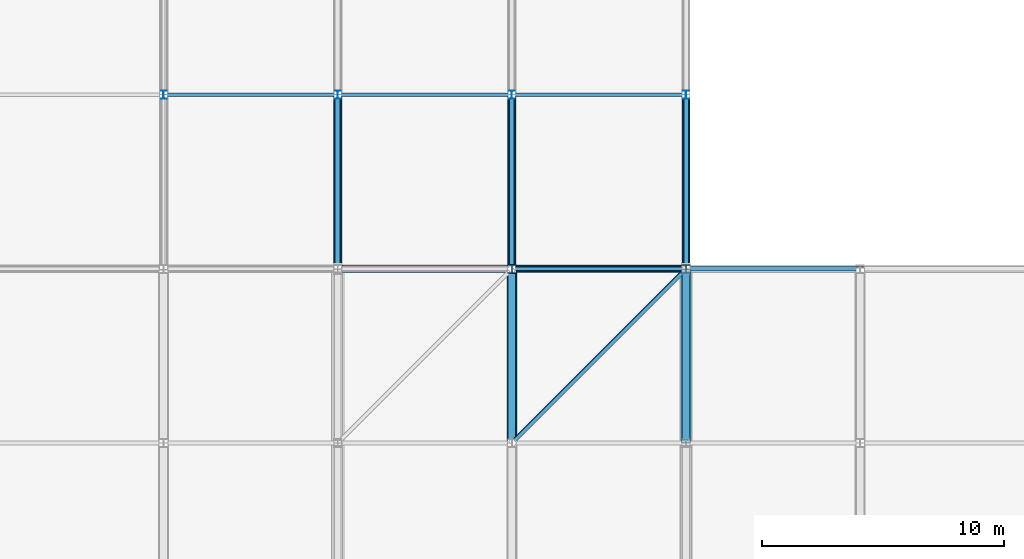
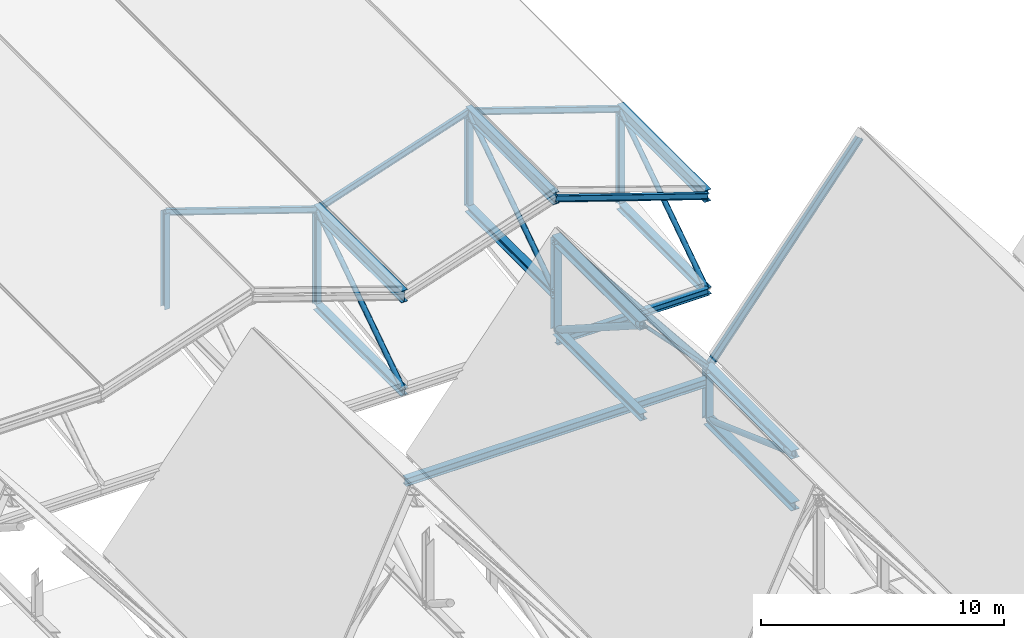
# One storey, part 26 of 60: 28 members, 2 beams.
"""IFC4 building model written with IfcOpenShell, lengths in metres."""

from ifc_helpers import new_model, si_unit, direction, frame, origin, origin_2d, place, context, subcontext, project, spatial, hollow_circle, i_section, extrude, material, material_profile, profile_set, type_object, element, save


model = new_model("IFC4")

# Units and contexts
model_context = context("Model", 3, precision=1e-05, world=origin(), true_north=direction((0.0, 1.0)))
body_context = subcontext(model_context, "Body", "Model", "MODEL_VIEW")
ifc_project = project(units=[si_unit("LENGTHUNIT", "METRE"), si_unit("AREAUNIT", "SQUARE_METRE"), si_unit("VOLUMEUNIT", "CUBIC_METRE"), si_unit("PLANEANGLEUNIT", "RADIAN"), si_unit("MASSUNIT", "GRAM", prefix="KILO")], contexts=[model_context])

# Site, building, storey
site_placement = place(None, origin())
site = spatial("IfcSite", under=ifc_project, at=site_placement, CompositionType="ELEMENT")
building_placement = place(site_placement, origin())
building = spatial("IfcBuilding", under=site, at=building_placement, Name="Vesperath Aquatics Centre", CompositionType="ELEMENT")
storey_placement = place(building_placement, frame((0.0, 0.0, 27.60009765625)))
storey = spatial("IfcBuildingStorey", under=building, at=storey_placement, Name="RF", CompositionType="ELEMENT", Elevation=27.60009765625)

# Beams
ifc_material_1 = material(Name="Steel Q355C", Category="steel")
ifc_material_profile_1 = material_profile(ifc_material_1, i_section(OverallWidth=0.300048828125, OverallDepth=0.389892578125, WebThickness=0.010009765625, FlangeThickness=0.01611328125, FilletRadius=0.02197265625, at=origin_2d()), Name="HM 390x300x10x16")
ifc_profile_set_1 = profile_set([ifc_material_profile_1], Name="Steel Q355C")
beam_type_1 = type_object("IfcBeamType", Name="BM-RB03", PredefinedType="BEAM", material=ifc_profile_set_1)
beam_1_placement = place(storey_placement, frame((43.199951171875, 86.39990234375, -10.478759765625), z_axis=(1.0, 0.0, 0.0), x_axis=(0.0, 1.0, 0.0)))
element("IfcBeam", 1, at=beam_1_placement, inside=storey, type_object=beam_type_1, Name="Natatorium Roof Deck Support Beam B11 G4-86.4", PredefinedType="BEAM", context=body_context, shape_type="SweptSolid", body=[
    extrude(i_section(OverallWidth=0.300048828125, OverallDepth=0.389892578125, WebThickness=0.010009765625, FlangeThickness=0.01611328125, FilletRadius=0.02197265625, at=origin_2d()), origin(), (0.0, 0.0, 1.0), 14.400146484375),
])
ifc_material_profile_2 = material_profile(ifc_material_1, i_section(OverallWidth=0.25, OverallDepth=0.340087890625, WebThickness=0.009033203125, FlangeThickness=0.013916015625, FilletRadius=0.02001953125, at=origin_2d()), Name="HM 340x250x9x14")
ifc_profile_set_2 = profile_set([ifc_material_profile_2], Name="Steel Q355C")
beam_type_2 = type_object("IfcBeamType", Name="BM-RB07", PredefinedType="BEAM", material=ifc_profile_set_2)
beam_2_placement = place(storey_placement, frame((50.39990234375, 86.39990234375, -5.9501953125), z_axis=(1.0, 0.0, 0.0), x_axis=(0.0, 1.0, 0.0)))
element("IfcBeam", 2, at=beam_2_placement, inside=storey, type_object=beam_type_2, Name="Diving Roof Support Beam B12 South 8", PredefinedType="BEAM", context=body_context, shape_type="SweptSolid", body=[
    extrude(i_section(OverallWidth=0.25, OverallDepth=0.340087890625, WebThickness=0.009033203125, FlangeThickness=0.013916015625, FilletRadius=0.02001953125, at=origin_2d()), origin(), (0.0, 0.0, 1.0), 7.2001953125),
])

# Members
ifc_material_2 = material(Name="Steel Q355D", Category="steel")
ifc_material_profile_3 = material_profile(ifc_material_2, i_section(OverallWidth=0.39990234375, OverallDepth=0.39990234375, WebThickness=0.012939453125, FlangeThickness=0.02099609375, FilletRadius=0.02197265625, at=origin_2d()), Name="HW 400x400x13x21")
ifc_profile_set_3 = profile_set([ifc_material_profile_3], Name="Steel Q355D")
member_type_1 = type_object("IfcMemberType", Name="MB-BC01", PredefinedType="CHORD", material=ifc_profile_set_3)
member_1_placement = place(storey_placement, frame((57.60009765625, 79.199951171875, -12.400146484375), z_axis=(0.0, 1.0, 0.0), x_axis=(-1.0, 0.0, 0.0)))
element("IfcMember", 3, at=member_1_placement, inside=storey, type_object=member_type_1, Name="Natatorium ROOF TRUSS Bottom Chord BC01 G9-12", PredefinedType="CHORD", context=body_context, shape_type="SweptSolid", body=[
    extrude(i_section(OverallWidth=0.39990234375, OverallDepth=0.39990234375, WebThickness=0.012939453125, FlangeThickness=0.02099609375, FilletRadius=0.02197265625, at=origin_2d()), origin(), (0.0, 0.0, 1.0), 7.199951171875),
])
ifc_material_profile_4 = material_profile(ifc_material_2, i_section(OverallWidth=0.35009765625, OverallDepth=0.35009765625, WebThickness=0.011962890625, FlangeThickness=0.01904296875, FilletRadius=0.02001953125, at=origin_2d()), Name="HW 350x350x12x19")
ifc_profile_set_4 = profile_set([ifc_material_profile_4], Name="Steel Q355D")
member_type_2 = type_object("IfcMemberType", Name="MB-BC02", PredefinedType="CHORD", material=ifc_profile_set_4)
member_2_placement = place(storey_placement, frame((50.39990234375, 79.199951171875, -5.400146484375), z_axis=(0.0, 1.0, 0.0), x_axis=(-1.0, 0.0, 0.0)))
element("IfcMember", 4, at=member_2_placement, inside=storey, type_object=member_type_2, Name="Natatorium ROOF TRUSS Bottom Chord BC02 G8-12", PredefinedType="CHORD", context=body_context, shape_type="SweptSolid", body=[
    extrude(i_section(OverallWidth=0.35009765625, OverallDepth=0.35009765625, WebThickness=0.011962890625, FlangeThickness=0.01904296875, FilletRadius=0.02001953125, at=origin_2d()), origin(), (0.0, 0.0, 1.0), 7.199951171875),
])
for number, where, z_axis, x_axis, name in (
    (5, (43.199951171875, 86.39990234375, -6.0), (0.0, 1.0, 0.0), (-1.0, 0.0, 0.0), "Diving ROOF TRUSS Bottom Chord BC02 G7-1"),
    (6, (50.39990234375, 86.39990234375, -3.60009765625), (0.0, 1.0, 0.0), (-1.0, 0.0, 0.0), "Diving ROOF TRUSS Bottom Chord BC02 G8-1"),
    (7, (57.60009765625, 86.39990234375, -6.0), (0.0, 1.0, 0.0), (-1.0, 0.0, 0.0), "Diving ROOF TRUSS Bottom Chord BC02 G9-1"),
):
    element("IfcMember", number, at=place(storey_placement, frame(where, z_axis=z_axis, x_axis=x_axis)), inside=storey, type_object=member_type_2, Name=name, PredefinedType="CHORD", context=body_context, shape_type="SweptSolid", body=[
        extrude(i_section(OverallWidth=0.35009765625, OverallDepth=0.35009765625, WebThickness=0.011962890625, FlangeThickness=0.01904296875, FilletRadius=0.02001953125, at=origin_2d()), origin(), (0.0, 0.0, 1.0), 7.2001953125),
    ])
ifc_material_profile_5 = material_profile(ifc_material_2, hollow_circle(Radius=0.084228515625, WallThickness=0.008056640625, at=origin_2d()), Name="CHS 168.3x8")
ifc_profile_set_5 = profile_set([ifc_material_profile_5], Name="Steel Q355D")
member_type_3 = type_object("IfcMemberType", Name="MB-BR01", PredefinedType="BRACE", material=ifc_profile_set_5)
member_3_placement = place(storey_placement, frame((50.4423828125, 79.242431640625, -0.85302734375), z_axis=(0.529812942826, 0.529812942826, -0.662266178533), x_axis=(-0.707106781187, 0.707106781187, 0.0)))
element("IfcMember", 8, at=member_3_placement, inside=storey, type_object=member_type_3, Name="Natatorium Roof Brace BR01 B8-79", PredefinedType="BRACE", context=body_context, shape_type="SweptSolid", body=[
    extrude(hollow_circle(Radius=0.084228515625, WallThickness=0.008056640625, at=origin_2d()), origin(), (0.0, 0.0, 1.0), 13.4296875),
])
ifc_material_profile_6 = material_profile(ifc_material_1, i_section(OverallWidth=0.175048828125, OverallDepth=0.35009765625, WebThickness=0.007080078125, FlangeThickness=0.010986328125, FilletRadius=0.012939453125, at=origin_2d()), Name="HN 350x175x7x11")
ifc_profile_set_6 = profile_set([ifc_material_profile_6], Name="Steel Q355C")
member_type_4 = type_object("IfcMemberType", Name="MB-PR01", PredefinedType="PURLIN", material=ifc_profile_set_6)
for number, where, z_axis, x_axis, name in (
    (9, (50.39990234375, 86.39990234375, -0.800048828125), (0.624705380279, 0.0, -0.780860543151), (0.0, 1.0, 0.0), "Natatorium Roof Purlin PR01 B8-11"),
    (10, (57.60009765625, 86.39990234375, -9.800048828125), (0.624692464322, 0.0, 0.780870876022), (0.0, 1.0, 0.0), "Natatorium Roof Purlin PR01 B9-11"),
):
    element("IfcMember", number, at=place(storey_placement, frame(where, z_axis=z_axis, x_axis=x_axis)), inside=storey, type_object=member_type_4, Name=name, PredefinedType="PURLIN", context=body_context, shape_type="SweptSolid", body=[
        extrude(i_section(OverallWidth=0.175048828125, OverallDepth=0.35009765625, WebThickness=0.007080078125, FlangeThickness=0.010986328125, FilletRadius=0.012939453125, at=origin_2d()), origin(), (0.0, 0.0, 1.0), 11.525634765625),
    ])
ifc_material_profile_7 = material_profile(ifc_material_1, i_section(OverallWidth=0.14990234375, OverallDepth=0.300048828125, WebThickness=0.006591796875, FlangeThickness=0.009033203125, FilletRadius=0.012939453125, at=origin_2d()), Name="HN 300x150x6.5x9")
ifc_profile_set_7 = profile_set([ifc_material_profile_7], Name="Steel Q355C")
member_type_5 = type_object("IfcMemberType", Name="MB-PR02", PredefinedType="PURLIN", material=ifc_profile_set_7)
for number, where, z_axis, x_axis, name in (
    (11, (36.0, 93.60009765625, 1.199951171875), (0.948676864184, 0.0, -0.316247066962), (0.0, 1.0, 0.0), "Diving Roof Purlin PR02 6-2"),
    (12, (43.199951171875, 93.60009765625, -1.2001953125), (0.948676864184, 0.0, 0.316247066962), (0.0, 1.0, 0.0), "Diving Roof Purlin PR02 7-2"),
):
    element("IfcMember", number, at=place(storey_placement, frame(where, z_axis=z_axis, x_axis=x_axis)), inside=storey, type_object=member_type_5, Name=name, PredefinedType="PURLIN", context=body_context, shape_type="SweptSolid", body=[
        extrude(i_section(OverallWidth=0.14990234375, OverallDepth=0.300048828125, WebThickness=0.006591796875, FlangeThickness=0.009033203125, FilletRadius=0.012939453125, at=origin_2d()), origin(), (0.0, 0.0, 1.0), 7.58935546875),
    ])
for number, where, z_axis, x_axis, name in (
    (13, (50.39990234375, 86.39990234375, 1.199951171875), (0.948680081264, 0.0, -0.316237416212), (0.0, 1.0, 0.0), "Diving Roof Purlin PR02 8-1"),
    (14, (50.39990234375, 93.60009765625, 1.199951171875), (0.948680081264, 0.0, -0.316237416212), (0.0, 1.0, 0.0), "Diving Roof Purlin PR02 8-2"),
):
    element("IfcMember", number, at=place(storey_placement, frame(where, z_axis=z_axis, x_axis=x_axis)), inside=storey, type_object=member_type_5, Name=name, PredefinedType="PURLIN", context=body_context, shape_type="SweptSolid", body=[
        extrude(i_section(OverallWidth=0.14990234375, OverallDepth=0.300048828125, WebThickness=0.006591796875, FlangeThickness=0.009033203125, FilletRadius=0.012939453125, at=origin_2d()), origin(), (0.0, 0.0, 1.0), 7.589599609375),
    ])
ifc_material_profile_8 = material_profile(ifc_material_2, i_section(OverallWidth=0.406982421875, OverallDepth=0.427978515625, WebThickness=0.02001953125, FlangeThickness=0.034912109375, FilletRadius=0.02197265625, at=origin_2d()), Name="HW 428x407x20x35")
ifc_profile_set_8 = profile_set([ifc_material_profile_8], Name="Steel Q355D")
member_type_6 = type_object("IfcMemberType", Name="MB-TC01", PredefinedType="CHORD", material=ifc_profile_set_8)
member_4_placement = place(storey_placement, frame((50.39990234375, 79.199951171875, -0.800048828125), z_axis=(0.0, 1.0, 0.0), x_axis=(-1.0, 0.0, 0.0)))
element("IfcMember", 15, at=member_4_placement, inside=storey, type_object=member_type_6, Name="Natatorium ROOF TRUSS Top Chord TC01 G8-12", PredefinedType="CHORD", context=body_context, shape_type="SweptSolid", body=[
    extrude(i_section(OverallWidth=0.406982421875, OverallDepth=0.427978515625, WebThickness=0.02001953125, FlangeThickness=0.034912109375, FilletRadius=0.02197265625, at=origin_2d()), origin(), (0.0, 0.0, 1.0), 7.199951171875),
])
ifc_material_profile_9 = material_profile(ifc_material_2, i_section(OverallWidth=0.39990234375, OverallDepth=0.39990234375, WebThickness=0.012939453125, FlangeThickness=0.02099609375, FilletRadius=0.02197265625, at=origin_2d()), Name="HW 400x400x13x21")
ifc_profile_set_9 = profile_set([ifc_material_profile_9], Name="Steel Q355D")
member_type_7 = type_object("IfcMemberType", Name="MB-TC02", PredefinedType="CHORD", material=ifc_profile_set_9)
member_5_placement = place(storey_placement, frame((57.60009765625, 79.199951171875, -9.800048828125), z_axis=(0.0, 1.0, 0.0), x_axis=(-1.0, 0.0, 0.0)))
element("IfcMember", 16, at=member_5_placement, inside=storey, type_object=member_type_7, Name="Natatorium ROOF TRUSS Top Chord TC02 G9-12", PredefinedType="CHORD", context=body_context, shape_type="SweptSolid", body=[
    extrude(i_section(OverallWidth=0.39990234375, OverallDepth=0.39990234375, WebThickness=0.012939453125, FlangeThickness=0.02099609375, FilletRadius=0.02197265625, at=origin_2d()), origin(), (0.0, 0.0, 1.0), 7.199951171875),
])
ifc_material_profile_10 = material_profile(ifc_material_2, i_section(OverallWidth=0.300048828125, OverallDepth=0.587890625, WebThickness=0.011962890625, FlangeThickness=0.02001953125, FilletRadius=0.028076171875, at=origin_2d()), Name="HM 588x300x12x20")
ifc_profile_set_10 = profile_set([ifc_material_profile_10], Name="Steel Q355D")
member_type_8 = type_object("IfcMemberType", Name="MB-TC03", PredefinedType="CHORD", material=ifc_profile_set_10)
for number, where, z_axis, x_axis, name in (
    (17, (43.199951171875, 86.39990234375, -1.2001953125), (0.0, 1.0, 0.0), (-1.0, 0.0, 0.0), "Diving ROOF TRUSS Top Chord TC03 G7-1"),
    (18, (50.39990234375, 86.39990234375, 1.199951171875), (0.0, 1.0, 0.0), (-1.0, 0.0, 0.0), "Diving ROOF TRUSS Top Chord TC03 G8-1"),
    (19, (57.60009765625, 86.39990234375, -1.2001953125), (0.0, 1.0, 0.0), (-1.0, 0.0, 0.0), "Diving ROOF TRUSS Top Chord TC03 G9-1"),
):
    element("IfcMember", number, at=place(storey_placement, frame(where, z_axis=z_axis, x_axis=x_axis)), inside=storey, type_object=member_type_8, Name=name, PredefinedType="CHORD", context=body_context, shape_type="SweptSolid", body=[
        extrude(i_section(OverallWidth=0.300048828125, OverallDepth=0.587890625, WebThickness=0.011962890625, FlangeThickness=0.02001953125, FilletRadius=0.028076171875, at=origin_2d()), origin(), (0.0, 0.0, 1.0), 7.2001953125),
    ])
ifc_material_profile_11 = material_profile(ifc_material_2, hollow_circle(Radius=0.161865234375, WallThickness=0.013916015625, at=origin_2d()), Name="CHS 323.9x14")
ifc_profile_set_11 = profile_set([ifc_material_profile_11], Name="Steel Q355D")
member_type_9 = type_object("IfcMemberType", Name="MB-TD01", PredefinedType="BRACE", material=ifc_profile_set_11)
member_6_placement = place(storey_placement, frame((50.39990234375, 79.267333984375, -0.84326171875), z_axis=(0.0, 0.84270690245, -0.538372618698), x_axis=(-1.0, 0.0, 0.0)))
element("IfcMember", 20, at=member_6_placement, inside=storey, type_object=member_type_9, Name="Natatorium ROOF TRUSS Diagonal TD01 G8-12", PredefinedType="BRACE", context=body_context, shape_type="SweptSolid", body=[
    extrude(hollow_circle(Radius=0.161865234375, WallThickness=0.013916015625, at=origin_2d()), origin(), (0.0, 0.0, 1.0), 8.384033203125),
])
ifc_material_profile_12 = material_profile(ifc_material_2, hollow_circle(Radius=0.136474609375, WallThickness=0.011962890625, at=origin_2d()), Name="CHS 273.0x12")
ifc_profile_set_12 = profile_set([ifc_material_profile_12], Name="Steel Q355D")
member_type_10 = type_object("IfcMemberType", Name="MB-TD02", PredefinedType="BRACE", material=ifc_profile_set_12)
member_7_placement = place(storey_placement, frame((57.60009765625, 79.275146484375, -9.8271484375), z_axis=(0.0, 0.940544360889, -0.339670877761), x_axis=(-1.0, 0.0, 0.0)))
element("IfcMember", 21, at=member_7_placement, inside=storey, type_object=member_type_10, Name="Natatorium ROOF TRUSS Diagonal TD02 G9-12", PredefinedType="BRACE", context=body_context, shape_type="SweptSolid", body=[
    extrude(hollow_circle(Radius=0.136474609375, WallThickness=0.011962890625, at=origin_2d()), origin(), (0.0, 0.0, 1.0), 7.4951171875),
])
ifc_material_profile_13 = material_profile(ifc_material_2, hollow_circle(Radius=0.122314453125, WallThickness=0.011962890625, at=origin_2d()), Name="CHS 244.5x12")
ifc_profile_set_13 = profile_set([ifc_material_profile_13], Name="Steel Q355D")
member_type_11 = type_object("IfcMemberType", Name="MB-TD03", PredefinedType="BRACE", material=ifc_profile_set_13)
for number, where, z_axis, x_axis, name in (
    (22, (43.199951171875, 86.466552734375, -5.955810546875), (0.0, 0.832041449737, 0.554713462897), (-1.0, 0.0, 0.0), "Diving ROOF TRUSS Diagonal TD03 G7-1"),
    (23, (50.39990234375, 86.466552734375, -3.5556640625), (0.0, 0.832054716629, 0.554693562731), (-1.0, 0.0, 0.0), "Diving ROOF TRUSS Diagonal TD03 G8-1"),
    (24, (57.60009765625, 86.466552734375, -5.955810546875), (0.0, 0.832041449737, 0.554713462897), (-1.0, 0.0, 0.0), "Diving ROOF TRUSS Diagonal TD03 G9-1"),
):
    element("IfcMember", number, at=place(storey_placement, frame(where, z_axis=z_axis, x_axis=x_axis)), inside=storey, type_object=member_type_11, Name=name, PredefinedType="BRACE", context=body_context, shape_type="SweptSolid", body=[
        extrude(hollow_circle(Radius=0.122314453125, WallThickness=0.011962890625, at=origin_2d()), origin(), (0.0, 0.0, 1.0), 8.493408203125),
    ])
ifc_material_profile_14 = material_profile(ifc_material_2, i_section(OverallWidth=0.35009765625, OverallDepth=0.35009765625, WebThickness=0.011962890625, FlangeThickness=0.01904296875, FilletRadius=0.02001953125, at=origin_2d()), Name="HW 350x350x12x19")
ifc_profile_set_14 = profile_set([ifc_material_profile_14], Name="Steel Q355D")
member_type_12 = type_object("IfcMemberType", Name="MB-TP01", PredefinedType="POST", material=ifc_profile_set_14)
member_8_placement = place(storey_placement, frame((50.39990234375, 86.39990234375, -5.400146484375), z_axis=(0.0, 0.0, 1.0), x_axis=(1.0, 0.0, 0.0)))
element("IfcMember", 25, at=member_8_placement, inside=storey, type_object=member_type_12, Name="Natatorium ROOF TRUSS Post TP01 G8-13", PredefinedType="POST", context=body_context, shape_type="SweptSolid", body=[
    extrude(i_section(OverallWidth=0.35009765625, OverallDepth=0.35009765625, WebThickness=0.011962890625, FlangeThickness=0.01904296875, FilletRadius=0.02001953125, at=origin_2d()), origin(), (0.0, 0.0, 1.0), 4.60009765625),
])
member_9_placement = place(storey_placement, frame((57.60009765625, 86.39990234375, -12.400146484375), z_axis=(0.0, 0.0, 1.0), x_axis=(1.0, 0.0, 0.0)))
element("IfcMember", 26, at=member_9_placement, inside=storey, type_object=member_type_12, Name="Natatorium ROOF TRUSS Post TP01 G9-13", PredefinedType="POST", context=body_context, shape_type="SweptSolid", body=[
    extrude(i_section(OverallWidth=0.35009765625, OverallDepth=0.35009765625, WebThickness=0.011962890625, FlangeThickness=0.01904296875, FilletRadius=0.02001953125, at=origin_2d()), origin(), (0.0, 0.0, 1.0), 2.60009765625),
])
ifc_material_profile_15 = material_profile(ifc_material_2, i_section(OverallWidth=0.25, OverallDepth=0.340087890625, WebThickness=0.009033203125, FlangeThickness=0.013916015625, FilletRadius=0.02001953125, at=origin_2d()), Name="HM 340x250x9x14")
ifc_profile_set_15 = profile_set([ifc_material_profile_15], Name="Steel Q355D")
member_type_13 = type_object("IfcMemberType", Name="MB-TP02", PredefinedType="POST", material=ifc_profile_set_15)
member_10_placement = place(storey_placement, frame((36.0, 93.60009765625, -3.60009765625), z_axis=(0.0, 0.0, 1.0), x_axis=(1.0, 0.0, 0.0)))
element("IfcMember", 27, at=member_10_placement, inside=storey, type_object=member_type_13, Name="Diving ROOF TRUSS Post TP02 G6-2", PredefinedType="POST", context=body_context, shape_type="SweptSolid", body=[
    extrude(i_section(OverallWidth=0.25, OverallDepth=0.340087890625, WebThickness=0.009033203125, FlangeThickness=0.013916015625, FilletRadius=0.02001953125, at=origin_2d()), origin(), (0.0, 0.0, 1.0), 4.800048828125),
])
member_11_placement = place(storey_placement, frame((43.199951171875, 93.60009765625, -6.0), z_axis=(0.0, 0.0, 1.0), x_axis=(1.0, 0.0, 0.0)))
element("IfcMember", 28, at=member_11_placement, inside=storey, type_object=member_type_13, Name="Diving ROOF TRUSS Post TP02 G7-2", PredefinedType="POST", context=body_context, shape_type="SweptSolid", body=[
    extrude(i_section(OverallWidth=0.25, OverallDepth=0.340087890625, WebThickness=0.009033203125, FlangeThickness=0.013916015625, FilletRadius=0.02001953125, at=origin_2d()), origin(), (0.0, 0.0, 1.0), 4.7998046875),
])
member_12_placement = place(storey_placement, frame((50.39990234375, 93.60009765625, -3.60009765625), z_axis=(0.0, 0.0, 1.0), x_axis=(1.0, 0.0, 0.0)))
element("IfcMember", 29, at=member_12_placement, inside=storey, type_object=member_type_13, Name="Diving ROOF TRUSS Post TP02 G8-2", PredefinedType="POST", context=body_context, shape_type="SweptSolid", body=[
    extrude(i_section(OverallWidth=0.25, OverallDepth=0.340087890625, WebThickness=0.009033203125, FlangeThickness=0.013916015625, FilletRadius=0.02001953125, at=origin_2d()), origin(), (0.0, 0.0, 1.0), 4.800048828125),
])
member_13_placement = place(storey_placement, frame((57.60009765625, 93.60009765625, -6.0), z_axis=(0.0, 0.0, 1.0), x_axis=(1.0, 0.0, 0.0)))
element("IfcMember", 30, at=member_13_placement, inside=storey, type_object=member_type_13, Name="Diving ROOF TRUSS Post TP02 G9-2", PredefinedType="POST", context=body_context, shape_type="SweptSolid", body=[
    extrude(i_section(OverallWidth=0.25, OverallDepth=0.340087890625, WebThickness=0.009033203125, FlangeThickness=0.013916015625, FilletRadius=0.02001953125, at=origin_2d()), origin(), (0.0, 0.0, 1.0), 4.7998046875),
])

save(model, "model.ifc")
